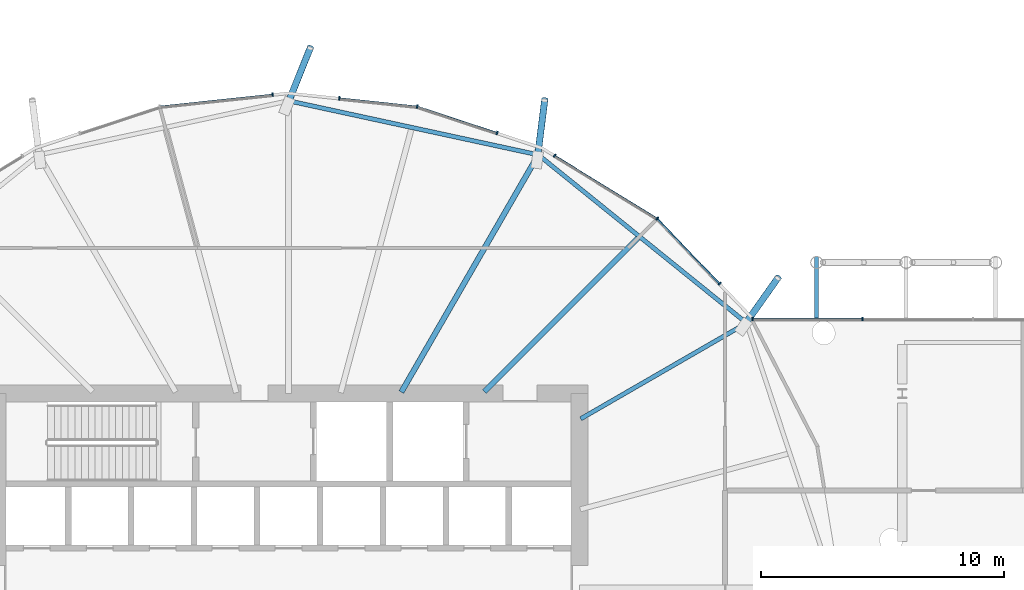
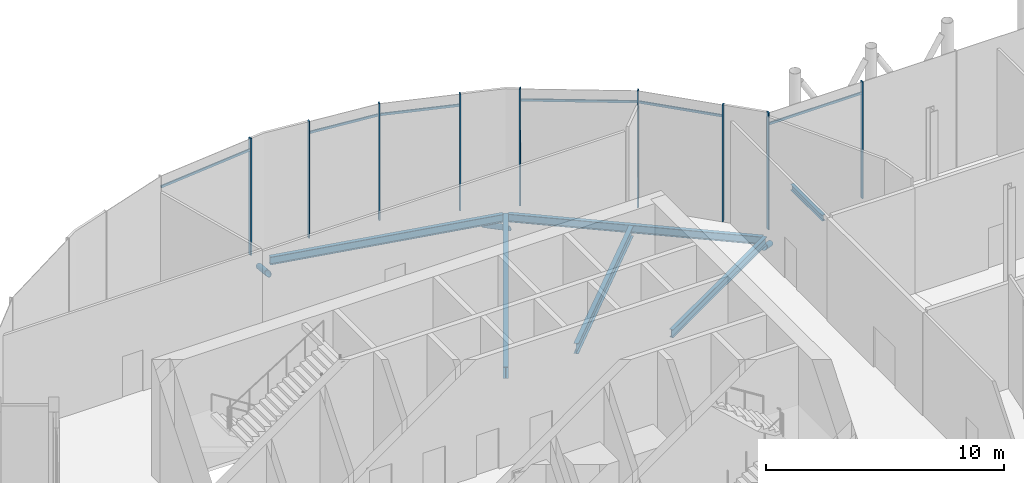
# One storey, part 8 of 38: 18 members, 6 beams, 2 elements without a shape of their own.
"""IFC4 building model written with IfcOpenShell, lengths in metres."""

import ifcopenshell
import ifcopenshell.guid

model = None  # the IFC model being written
_history = None  # IfcOwnerHistory: only IFC2X3 demands one
_inside = {}  # id of a spatial element -> (the spatial element, [elements in it])
_under = {}  # id of a project, library or spatial element -> (it, [spatial elements below it])
_declared = {}  # id of a project -> (the project, [libraries it declares])
_typed = {}  # id of a type object -> (the type object, [elements of that type])
_made_of = {}  # id of a material, layer set ... -> (it, [elements and type objects made of it])


def new_model(schema):
    """Start an empty IFC model of exactly this schema.

    Asked for "IFC4X3", IfcOpenShell would pick the latest addendum, in which some entities
    have other attributes; the version numbers below select the first issue.
    IFC2X3 requires an IfcOwnerHistory on every rooted entity: one is made here for all.
    """
    global model, _history
    if schema == "IFC4X3":
        model = ifcopenshell.file(schema_version=(4, 3, 0, 0))
    else:
        model = ifcopenshell.file(schema=schema)
    _inside.clear()
    _under.clear()
    _declared.clear()
    _typed.clear()
    _made_of.clear()
    _history = None
    if model.schema == "IFC2X3":
        org = make("IfcOrganization", Name="unknown")
        user = make(
            "IfcPersonAndOrganization",
            ThePerson=make("IfcPerson", FamilyName="unknown"),
            TheOrganization=org,
        )
        app = make(
            "IfcApplication",
            ApplicationDeveloper=org,
            Version="unknown",
            ApplicationFullName="unknown",
            ApplicationIdentifier="unknown",
        )
        _history = make(
            "IfcOwnerHistory",
            OwningUser=user,
            OwningApplication=app,
            ChangeAction="ADDED",
            CreationDate=0,
        )
    return model


def make(cls, **values):
    """One entity of the class cls with the attributes given. An attribute that is None is left unset."""
    return model.create_entity(
        cls, **{name: value for name, value in values.items() if value is not None}
    )


def rooted(cls, **values):
    """An entity with a GlobalId (a new one), such as an element, a storey or a relation."""
    return make(cls, GlobalId=ifcopenshell.guid.new(), OwnerHistory=_history, **values)


def si_unit(unit_type, name, prefix=None):
    """IfcSIUnit, for example si_unit("LENGTHUNIT", "METRE", prefix="MILLI")."""
    return make("IfcSIUnit", UnitType=unit_type, Prefix=prefix, Name=name)


def assignment(units):
    """IfcUnitAssignment: the units of a project."""
    return None if units is None else make("IfcUnitAssignment", Units=units)


def point(xyz):
    """IfcCartesianPoint."""
    return None if xyz is None else make("IfcCartesianPoint", Coordinates=xyz)


def direction(xyz):
    """IfcDirection."""
    return None if xyz is None else make("IfcDirection", DirectionRatios=xyz)


def frame(location, z_axis=None, x_axis=None):
    """IfcAxis2Placement3D, a coordinate frame: its origin and axes. An axis left out is left unset."""
    return make(
        "IfcAxis2Placement3D",
        Location=point(location),
        Axis=direction(z_axis),
        RefDirection=direction(x_axis),
    )


def frame_2d(location, x_axis=None):
    """IfcAxis2Placement2D, a coordinate frame in the plane: its origin and x axis."""
    return make(
        "IfcAxis2Placement2D", Location=point(location), RefDirection=direction(x_axis)
    )


def origin():
    """The frame at (0, 0, 0) with its axes left unset."""
    return frame((0.0, 0.0, 0.0))


def origin_2d():
    """The frame at (0, 0) in the plane with its x axis left unset."""
    return frame_2d((0.0, 0.0))


def place(relative_to, where):
    """IfcLocalPlacement: puts the frame where relative to a parent placement (None: the world)."""
    return make(
        "IfcLocalPlacement", PlacementRelTo=relative_to, RelativePlacement=where
    )


def context(
    kind, dimensions, precision=None, world=None, true_north=None, identifier=None
):
    """IfcGeometricRepresentationContext, for example the 3D "Model" context."""
    return make(
        "IfcGeometricRepresentationContext",
        ContextIdentifier=identifier,
        ContextType=kind,
        CoordinateSpaceDimension=dimensions,
        Precision=precision,
        WorldCoordinateSystem=world,
        TrueNorth=true_north,
    )


def subcontext(parent, identifier, kind, view, scale=None):
    """IfcGeometricRepresentationSubContext, for example "Body" below "Model"."""
    return make(
        "IfcGeometricRepresentationSubContext",
        ContextIdentifier=identifier,
        ContextType=kind,
        ParentContext=parent,
        TargetScale=scale,
        TargetView=view,
    )


def project(units=None, contexts=None):
    """IfcProject with its units and contexts."""
    return rooted(
        "IfcProject",
        Name="project",
        RepresentationContexts=contexts,
        UnitsInContext=assignment(units),
    )


def spatial(cls, under=None, at=None, **own):
    """A site, building, storey or space (cls), placed at a placement, below another one or the project."""
    s = rooted(cls, ObjectPlacement=at, **own)
    if under is not None:
        _under.setdefault(under.id(), (under, []))[1].append(s)
    return s


def profile(cls, at=None, kind="AREA", **sizes):
    """A parametric profile (cls). Its sizes go by their IFC names, for example OverallWidth=200.0."""
    return make(cls, ProfileType=kind, Position=at, **sizes)


def rectangle(**sizes):
    """IfcRectangleProfileDef."""
    return profile("IfcRectangleProfileDef", **sizes)


def hollow_circle(**sizes):
    """IfcCircleHollowProfileDef."""
    return profile("IfcCircleHollowProfileDef", **sizes)


def i_section(**sizes):
    """IfcIShapeProfileDef."""
    return profile("IfcIShapeProfileDef", **sizes)


def extrude(swept, where, along, depth):
    """IfcExtrudedAreaSolid: the profile swept, set in the frame where, extruded along a direction by depth."""
    return make(
        "IfcExtrudedAreaSolid",
        SweptArea=swept,
        Position=where,
        ExtrudedDirection=direction(along),
        Depth=depth,
    )


def clip(a, b, op="DIFFERENCE"):
    """IfcBooleanClippingResult: the solid a cut by the half space b."""
    return make(
        "IfcBooleanClippingResult", Operator=op, FirstOperand=a, SecondOperand=b
    )


def halfspace(plane, agree):
    """IfcHalfSpaceSolid: all space on one side of the plane z = 0 of the frame plane."""
    return make(
        "IfcHalfSpaceSolid",
        BaseSurface=make("IfcPlane", Position=plane),
        AgreementFlag=agree,
    )


def shape(context_of_items, identifier, shape_type, items):
    """IfcShapeRepresentation: the items that make up one representation, for example the "Body"."""
    return make(
        "IfcShapeRepresentation",
        ContextOfItems=context_of_items,
        RepresentationIdentifier=identifier,
        RepresentationType=shape_type,
        Items=items,
    )


def material(Name=None, Category=None):
    """IfcMaterial."""
    return make("IfcMaterial", Name=Name, Category=Category)


def material_profile(
    of_material, cross_section, Name=None, Category=None, Priority=None
):
    """IfcMaterialProfile: a cross section and its material."""
    return make(
        "IfcMaterialProfile",
        Name=Name,
        Material=of_material,
        Profile=cross_section,
        Priority=Priority,
        Category=Category,
    )


def profile_set(profiles, Name=None, composite=None):
    """IfcMaterialProfileSet."""
    return make(
        "IfcMaterialProfileSet",
        Name=Name,
        MaterialProfiles=profiles,
        CompositeProfile=composite,
    )


def made_of(thing, what):
    """Note that an element or type object is made of a material, layer set ...; save() writes the relation."""
    if what is not None:
        _made_of.setdefault(what.id(), (what, []))[1].append(thing)
    return thing


def type_object(cls, material=None, **own):
    """A type object (cls), such as IfcWallType, which elements share."""
    return made_of(rooted(cls, **own), material)


def element(
    cls,
    number,
    at=None,
    inside=None,
    cuts=None,
    type_object=None,
    material=None,
    context=None,
    identifier="Body",
    shape_type=None,
    held_by="IfcProductDefinitionShape",
    body=None,
    shapes=None,
    **own,
):
    """One element of the class cls, such as IfcWall. Its Tag is "e" and its number.

    at: its placement. inside: the storey or other place that contains it. cuts: it is an
    opening in that element (IfcRelVoidsElement). A single representation is given by context,
    identifier, shape_type and body (its items); several are given by shapes. held_by: the class
    of the entity that holds the representations. save() writes the other relations.
    """
    e = rooted(cls, Tag="e%d" % number, ObjectPlacement=at, **own)
    if body is not None:
        shapes = [shape(context, identifier, shape_type, body)]
    if shapes is not None:
        e.Representation = make(held_by, Representations=shapes)
    if inside is not None:
        _inside.setdefault(inside.id(), (inside, []))[1].append(e)
    if cuts is not None:
        rooted(
            "IfcRelVoidsElement", RelatingBuildingElement=cuts, RelatedOpeningElement=e
        )
    if type_object is not None:
        _typed.setdefault(type_object.id(), (type_object, []))[1].append(e)
    return made_of(e, material)


def aggregate(whole, parts):
    """IfcRelAggregates: a whole, such as a stair, and the parts it consists of."""
    return rooted("IfcRelAggregates", RelatingObject=whole, RelatedObjects=parts)


def save(model, path):
    """Write the relations noted so far, then the file.

    IfcRelAggregates (storeys below a building ...), IfcRelContainedInSpatialStructure (elements
    in a storey), IfcRelDefinesByType, IfcRelAssociatesMaterial and IfcRelDeclares: one each for
    every whole, place, type object, material and project.
    """
    for whole, parts in _under.values():
        aggregate(whole, parts)
    for where, things in _inside.values():
        rooted(
            "IfcRelContainedInSpatialStructure",
            RelatedElements=things,
            RelatingStructure=where,
        )
    for kind, things in _typed.values():
        rooted("IfcRelDefinesByType", RelatedObjects=things, RelatingType=kind)
    for what, things in _made_of.values():
        rooted("IfcRelAssociatesMaterial", RelatedObjects=things, RelatingMaterial=what)
    for by, libraries in _declared.values():
        rooted("IfcRelDeclares", RelatingContext=by, RelatedDefinitions=libraries)
    model.write(path)


model = new_model("IFC4")

# Units and contexts
model_context = context("Model", 3, precision=1e-05, world=origin(), true_north=direction((0.0, 1.0)))
body_context = subcontext(model_context, "Body", "Model", "MODEL_VIEW")
ifc_project = project(units=[si_unit("LENGTHUNIT", "METRE"), si_unit("AREAUNIT", "SQUARE_METRE"), si_unit("VOLUMEUNIT", "CUBIC_METRE"), si_unit("PLANEANGLEUNIT", "RADIAN"), si_unit("MASSUNIT", "GRAM", prefix="KILO")], contexts=[model_context])

# Site, building, storey
site_placement = place(None, origin())
site = spatial("IfcSite", under=ifc_project, at=site_placement, CompositionType="ELEMENT")
building_placement = place(site_placement, origin())
building = spatial("IfcBuilding", under=site, at=building_placement, Name="Rimbun Link Towers", CompositionType="ELEMENT")
storey_placement = place(building_placement, frame((0.0, 0.0, 133.199951171875)))
storey = spatial("IfcBuildingStorey", under=building, at=storey_placement, Name="L32", CompositionType="ELEMENT", Elevation=133.199951171875)

# Curtain wall, members
ifc_material_1 = material(Name="Aluminium 6063-T6 and low-iron glass", Category="aluminium")
curtain_wall_type = type_object("IfcCurtainWallType", Name="CW5 full height lobby wall", PredefinedType="NOTDEFINED", material=ifc_material_1)
curtain_wall_1_placement = place(storey_placement, origin())
curtain_wall_1 = element("IfcCurtainWall", 1, at=curtain_wall_1_placement, inside=storey, type_object=curtain_wall_type, Name="CW5 L32 T1", PredefinedType="NOTDEFINED")
ifc_material_2 = material(Name="Aluminium 6063-T6", Category="aluminium")
ifc_material_profile_1 = material_profile(ifc_material_2, rectangle(XDim=0.14990234375, YDim=0.06005859375, at=origin_2d()), Name="MULLION 60X150")
ifc_profile_set_1 = profile_set([ifc_material_profile_1], Name="Aluminium 6063-T6")
member_type_1 = type_object("IfcMemberType", Name="CW5 mullion 60X150", PredefinedType="MULLION", material=ifc_profile_set_1)
member_1_placement = place(storey_placement, frame((-16.548828125, 15.212646484375, 0.0), z_axis=(0.0, 0.0, 1.0), x_axis=(0.627670674715, 0.778478981157, 0.0)))
member_1 = element("IfcMember", 2, at=member_1_placement, type_object=member_type_1, Name="CW5 mullion", PredefinedType="MULLION", context=body_context, shape_type="SweptSolid", body=[
    extrude(rectangle(XDim=0.14990234375, YDim=0.06005859375, at=origin_2d()), origin(), (0.0, 0.0, 1.0), 6.0),
])
member_2_placement = place(storey_placement, frame((-13.97314453125, 12.52685546875, 0.0), z_axis=(0.0, 0.0, 1.0), x_axis=(0.721858090698, 0.692041109252, 0.0)))
member_2 = element("IfcMember", 3, at=member_2_placement, type_object=member_type_1, Name="CW5 mullion", PredefinedType="MULLION", context=body_context, shape_type="SweptSolid", body=[
    extrude(rectangle(XDim=0.14990234375, YDim=0.06005859375, at=origin_2d()), origin(), (0.0, 0.0, 1.0), 6.0),
])
member_3_placement = place(storey_placement, frame((-20.77392578125, 17.807373046875, 0.0), z_axis=(0.0, 0.0, 1.0), x_axis=(0.523225378089, 0.852194346217, 0.0)))
member_3 = element("IfcMember", 4, at=member_3_placement, type_object=member_type_1, Name="CW5 mullion", PredefinedType="MULLION", context=body_context, shape_type="SweptSolid", body=[
    extrude(rectangle(XDim=0.14990234375, YDim=0.06005859375, at=origin_2d()), origin(), (0.0, 0.0, 1.0), 6.0),
])
member_4_placement = place(storey_placement, frame((-26.440185546875, 19.831298828125, 0.0), z_axis=(0.0, 0.0, 1.0), x_axis=(0.210874693144, 0.977513101596, 0.0)))
member_4 = element("IfcMember", 5, at=member_4_placement, type_object=member_type_1, Name="CW5 mullion", PredefinedType="MULLION", context=body_context, shape_type="SweptSolid", body=[
    extrude(rectangle(XDim=0.14990234375, YDim=0.06005859375, at=origin_2d()), origin(), (0.0, 0.0, 1.0), 6.0),
])
member_5_placement = place(storey_placement, frame((-23.15185546875, 18.7421875, 0.0), z_axis=(0.0, 0.0, 1.0), x_axis=(0.314567961741, 0.949234953763, 0.0)))
member_5 = element("IfcMember", 6, at=member_5_placement, type_object=member_type_1, Name="CW5 mullion", PredefinedType="MULLION", context=body_context, shape_type="SweptSolid", body=[
    extrude(rectangle(XDim=0.14990234375, YDim=0.06005859375, at=origin_2d()), origin(), (0.0, 0.0, 1.0), 6.0),
])
member_6_placement = place(storey_placement, frame((-29.65380859375, 20.170166015625, 0.0), z_axis=(0.0, 0.0, 1.0), x_axis=(0.104745411125, 0.994499069305, 0.0)))
member_6 = element("IfcMember", 7, at=member_6_placement, type_object=member_type_1, Name="CW5 mullion", PredefinedType="MULLION", context=body_context, shape_type="SweptSolid", body=[
    extrude(rectangle(XDim=0.14990234375, YDim=0.06005859375, at=origin_2d()), origin(), (0.0, 0.0, 1.0), 6.0),
])
member_7_placement = place(storey_placement, frame((-32.404296875, 20.322021484375, 0.0), z_axis=(0.0, 0.0, 1.0), x_axis=(-0.104745411125, 0.994499069305, 0.0)))
member_7 = element("IfcMember", 8, at=member_7_placement, type_object=member_type_1, Name="CW5 mullion", PredefinedType="MULLION", context=body_context, shape_type="SweptSolid", body=[
    extrude(rectangle(XDim=0.14990234375, YDim=0.06005859375, at=origin_2d()), origin(), (0.0, 0.0, 1.0), 6.0),
])

curtain_wall_2_placement = place(storey_placement, origin())
curtain_wall_2 = element("IfcCurtainWall", 9, at=curtain_wall_2_placement, inside=storey, type_object=curtain_wall_type, Name="CW5 L32 LB", PredefinedType="NOTDEFINED")
member_8_placement = place(storey_placement, frame((-12.626953125, 11.074951171875, 0.0), z_axis=(0.0, 0.0, 1.0), x_axis=(0.0, 1.0, 0.0)))
member_8 = element("IfcMember", 10, at=member_8_placement, type_object=member_type_1, Name="CW5 mullion", PredefinedType="MULLION", context=body_context, shape_type="SweptSolid", body=[
    extrude(rectangle(XDim=0.14990234375, YDim=0.06005859375, at=origin_2d()), origin(), (0.0, 0.0, 1.0), 6.0),
])
member_9_placement = place(storey_placement, frame((-8.0791015625, 11.074951171875, 0.0), z_axis=(0.0, 0.0, 1.0), x_axis=(0.0, 1.0, 0.0)))
member_9 = element("IfcMember", 11, at=member_9_placement, type_object=member_type_1, Name="CW5 mullion", PredefinedType="MULLION", context=body_context, shape_type="SweptSolid", body=[
    extrude(rectangle(XDim=0.14990234375, YDim=0.06005859375, at=origin_2d()), origin(), (0.0, 0.0, 1.0), 6.0),
])

# Member
ifc_material_3 = material(Name="Aluminium 6063-T6", Category="aluminium")
ifc_material_profile_2 = material_profile(ifc_material_3, rectangle(XDim=0.06005859375, YDim=0.1201171875, at=origin_2d()), Name="TRANSOM 60X120")
ifc_profile_set_2 = profile_set([ifc_material_profile_2], Name="Aluminium 6063-T6")
member_type_2 = type_object("IfcMemberType", Name="CW5 transom 60X120", PredefinedType="USERDEFINED", material=ifc_profile_set_2)
member_10_placement = place(storey_placement, frame((-16.5302734375, 15.175537109375, 5.400146484375), z_axis=(0.692040396922, -0.721858773603, 0.0), x_axis=(0.721858773603, 0.692040396922, 0.0)))
member_10 = element("IfcMember", 12, at=member_10_placement, type_object=member_type_2, Name="CW5 transom", ObjectType="TRANSOM", PredefinedType="USERDEFINED", context=body_context, shape_type="SweptSolid", body=[
    extrude(rectangle(XDim=0.06005859375, YDim=0.1201171875, at=origin_2d()), origin(), (0.0, 0.0, 1.0), 3.651611328125),
])

member_11_placement = place(storey_placement, frame((-20.755126953125, 17.78076171875, 5.400146484375), z_axis=(0.852182554645, -0.523244582923, 0.0), x_axis=(0.523244582923, 0.852182554645, 0.0)))
member_11 = element("IfcMember", 13, at=member_11_placement, type_object=member_type_2, Name="CW5 transom", ObjectType="TRANSOM", PredefinedType="USERDEFINED", context=body_context, shape_type="SweptSolid", body=[
    extrude(rectangle(XDim=0.06005859375, YDim=0.1201171875, at=origin_2d()), origin(), (0.0, 0.0, 1.0), 4.888916015625),
])

member_12_placement = place(storey_placement, frame((-26.407958984375, 19.807373046875, 5.400146484375), z_axis=(0.949242594948, -0.314544902893, 0.0), x_axis=(0.314544902893, 0.949242594948, 0.0)))
member_12 = element("IfcMember", 14, at=member_12_placement, type_object=member_type_2, Name="CW5 transom", ObjectType="TRANSOM", PredefinedType="USERDEFINED", context=body_context, shape_type="SweptSolid", body=[
    extrude(rectangle(XDim=0.06005859375, YDim=0.1201171875, at=origin_2d()), origin(), (0.0, 0.0, 1.0), 3.395751953125),
])

member_13_placement = place(storey_placement, frame((-29.625244140625, 20.154052734375, 5.400146484375), z_axis=(0.994500800185, -0.104728976086, 0.0), x_axis=(0.104728976086, 0.994500800185, 0.0)))
member_13 = element("IfcMember", 15, at=member_13_placement, type_object=member_type_2, Name="CW5 transom", ObjectType="TRANSOM", PredefinedType="USERDEFINED", context=body_context, shape_type="SweptSolid", body=[
    extrude(rectangle(XDim=0.06005859375, YDim=0.1201171875, at=origin_2d()), origin(), (0.0, 0.0, 1.0), 3.163330078125),
])

member_14_placement = place(storey_placement, frame((-37.020751953125, 19.82275390625, 5.400146484375), z_axis=(0.994495008728, 0.104783956858, 0.0), x_axis=(-0.104783956858, 0.994495008728, 0.0)))
member_14 = element("IfcMember", 16, at=member_14_placement, type_object=member_type_2, Name="CW5 transom", ObjectType="TRANSOM", PredefinedType="USERDEFINED", context=body_context, shape_type="SweptSolid", body=[
    extrude(rectangle(XDim=0.06005859375, YDim=0.1201171875, at=origin_2d()), origin(), (0.0, 0.0, 1.0), 4.61328125),
])

aggregate(curtain_wall_1, [member_1, member_2, member_3, member_4, member_5, member_6, member_7, member_10, member_11, member_12, member_13, member_14])

member_15_placement = place(storey_placement, frame((-12.596923828125, 11.06201171875, 5.400146484375), z_axis=(1.0, 0.0, 0.0), x_axis=(0.0, 1.0, 0.0)))
member_15 = element("IfcMember", 17, at=member_15_placement, type_object=member_type_2, Name="CW5 transom", ObjectType="TRANSOM", PredefinedType="USERDEFINED", context=body_context, shape_type="SweptSolid", body=[
    extrude(rectangle(XDim=0.06005859375, YDim=0.1201171875, at=origin_2d()), origin(), (0.0, 0.0, 1.0), 4.48779296875),
])

aggregate(curtain_wall_2, [member_8, member_9, member_15])

# Beam
ifc_material_4 = material(Name="Steel S355J2", Category="steel")
ifc_material_profile_3 = material_profile(ifc_material_4, i_section(OverallWidth=0.1650390625, OverallDepth=0.303466796875, WebThickness=0.006103515625, FlangeThickness=0.01025390625, at=origin_2d()), Name="UB 305x165x40")
ifc_profile_set_3 = profile_set([ifc_material_profile_3], Name="Steel S355J2")
beam_type_1 = type_object("IfcBeamType", Name="Capsule bracket beam UB 305x165x40", PredefinedType="BEAM", material=ifc_profile_set_3)
beam_1_placement = place(storey_placement, frame((-9.97802734375, 11.0, -0.311767578125), z_axis=(0.0, 1.0, 0.0), x_axis=(-1.0, 0.0, 0.0)))
element("IfcBeam", 18, at=beam_1_placement, inside=storey, type_object=beam_type_1, Name="Link megaframe outrigger N0", PredefinedType="BEAM", context=body_context, shape_type="SweptSolid", body=[
    extrude(i_section(OverallWidth=0.1650390625, OverallDepth=0.303466796875, WebThickness=0.006103515625, FlangeThickness=0.01025390625, at=origin_2d()), origin(), (0.0, 0.0, 1.0), 2.654052734375),
])

# Members
ifc_material_5 = material(Name="Steel S355J2H", Category="steel")
ifc_material_profile_4 = material_profile(ifc_material_5, hollow_circle(Radius=0.136474609375, WallThickness=0.012451171875, at=origin_2d()), Name="CHS 273x12.5")
ifc_profile_set_4 = profile_set([ifc_material_profile_4], Name="Steel S355J2H")
member_type_3 = type_object("IfcMemberType", Name="Floor edge link CHS 273x12.5", PredefinedType="BRACE", material=ifc_profile_set_4)
member_16_placement = place(storey_placement, frame((-12.909423828125, 10.877685546875, -0.7021484375), z_axis=(0.490937524555, 0.693295918192, -0.527561481537), x_axis=(-0.816106138335, 0.577902042713, 0.0)))
element("IfcMember", 19, at=member_16_placement, inside=storey, type_object=member_type_3, Name="Floor edge link T1 L32 02", PredefinedType="BRACE", context=body_context, shape_type="Clipping", body=[
    clip(extrude(hollow_circle(Radius=0.136474609375, WallThickness=0.012451171875, at=origin_2d()), frame((0.0, 0.0, -0.45849609375)), (0.0, 0.0, 1.0), 3.22509765625), halfspace(frame((0.0, 0.0, -0.2158203125), z_axis=(0.0, 0.849516852804, -0.527561481537)), False)),
])
member_17_placement = place(storey_placement, frame((-21.47705078125, 17.793212890625, -0.900146484375), z_axis=(0.107708067063, 0.857638902766, -0.502846382857), x_axis=(-0.992206060806, 0.12460791668, 0.0)))
element("IfcMember", 20, at=member_17_placement, inside=storey, type_object=member_type_3, Name="Floor edge link T1 L32 04", PredefinedType="BRACE", context=body_context, shape_type="Clipping", body=[
    clip(extrude(hollow_circle(Radius=0.136474609375, WallThickness=0.012451171875, at=origin_2d()), frame((0.0, 0.0, -0.4892578125)), (0.0, 0.0, 1.0), 3.21826171875), halfspace(frame((0.0, 0.0, -0.22998046875), z_axis=(0.0, 0.864375795154, -0.502846382857)), False)),
])
member_18_placement = place(storey_placement, frame((-31.75, 20.01416015625, -0.98291015625), z_axis=(0.326716163123, 0.812891542358, -0.482145091355), x_axis=(-0.927861588857, 0.372924753702, 0.0)))
element("IfcMember", 21, at=member_18_placement, inside=storey, type_object=member_type_3, Name="Floor edge link T1 L32 06", PredefinedType="BRACE", context=body_context, shape_type="Clipping", body=[
    clip(extrude(hollow_circle(Radius=0.136474609375, WallThickness=0.012451171875, at=origin_2d()), frame((0.0, 0.0, -0.516845703125)), (0.0, 0.0, 1.0), 3.30322265625), halfspace(frame((0.0, 0.0, -0.24365234375), z_axis=(0.0, 0.876091382723, -0.482145091355)), False)),
])

# Beams
ifc_material_6 = material(Name="Steel S355J2", Category="steel")
ifc_material_profile_5 = material_profile(ifc_material_6, i_section(OverallWidth=0.177978515625, OverallDepth=0.406494140625, WebThickness=0.0078125, FlangeThickness=0.0126953125, at=origin_2d()), Name="UB 406x178x60")
ifc_profile_set_5 = profile_set([ifc_material_profile_5], Name="Steel S355J2")
beam_type_2 = type_object("IfcBeamType", Name="UB 406x178x60", PredefinedType="BEAM", material=ifc_profile_set_5)
beam_2_placement = place(storey_placement, frame((-19.70458984375, 6.954345703125, -0.383056640625), z_axis=(0.866019794698, 0.500009715097, 0.0), x_axis=(-0.500009715097, 0.866019794698, 0.0)))
element("IfcBeam", 22, at=beam_2_placement, inside=storey, type_object=beam_type_2, Name="Radial beam T1 L32 02", PredefinedType="BEAM", context=body_context, shape_type="SweptSolid", body=[
    extrude(i_section(OverallWidth=0.177978515625, OverallDepth=0.406494140625, WebThickness=0.0078125, FlangeThickness=0.0126953125, at=origin_2d()), origin(), (0.0, 0.0, 1.0), 7.896240234375),
])
beam_3_placement = place(storey_placement, frame((-12.941162109375, 10.963134765625, -0.383056640625), z_axis=(-0.77798655313, 0.628280926934, 0.0), x_axis=(-0.628280926934, -0.77798655313, 0.0)))
element("IfcBeam", 23, at=beam_3_placement, inside=storey, type_object=beam_type_2, Name="Edge beam T1 L32 02-04", PredefinedType="BEAM", context=body_context, shape_type="SweptSolid", body=[
    extrude(i_section(OverallWidth=0.177978515625, OverallDepth=0.406494140625, WebThickness=0.0078125, FlangeThickness=0.0126953125, at=origin_2d()), origin(), (0.0, 0.0, 1.0), 10.82373046875),
])
beam_4_placement = place(storey_placement, frame((-21.56982421875, 17.86181640625, -0.383056640625), z_axis=(-0.977388184386, 0.211452919162, 0.0), x_axis=(-0.211452919162, -0.977388184386, 0.0)))
element("IfcBeam", 24, at=beam_4_placement, inside=storey, type_object=beam_type_2, Name="Edge beam T1 L32 04-06", PredefinedType="BEAM", context=body_context, shape_type="SweptSolid", body=[
    extrude(i_section(OverallWidth=0.177978515625, OverallDepth=0.406494140625, WebThickness=0.0078125, FlangeThickness=0.0126953125, at=origin_2d()), origin(), (0.0, 0.0, 1.0), 10.28515625),
])
ifc_material_7 = material(Name="Steel S355J2", Category="steel")
ifc_material_profile_6 = material_profile(ifc_material_7, i_section(OverallWidth=0.209228515625, OverallDepth=0.533203125, WebThickness=0.010009765625, FlangeThickness=0.015625, at=origin_2d()), Name="UB 533x210x92")
ifc_profile_set_6 = profile_set([ifc_material_profile_6], Name="Steel S355J2")
beam_type_3 = type_object("IfcBeamType", Name="UB 533x210x92", PredefinedType="BEAM", material=ifc_profile_set_6)
beam_5_placement = place(storey_placement, frame((-23.67529296875, 8.07470703125, -0.446533203125), z_axis=(0.707106781187, 0.707106781187, 0.0), x_axis=(-0.707106781187, 0.707106781187, 0.0)))
element("IfcBeam", 25, at=beam_5_placement, inside=storey, type_object=beam_type_3, Name="Radial beam T1 L32 03", PredefinedType="BEAM", context=body_context, shape_type="SweptSolid", body=[
    extrude(i_section(OverallWidth=0.209228515625, OverallDepth=0.533203125, WebThickness=0.010009765625, FlangeThickness=0.015625, at=origin_2d()), origin(), (0.0, 0.0, 1.0), 8.951416015625),
])
ifc_material_8 = material(Name="Steel S355J2", Category="steel")
ifc_material_profile_7 = material_profile(ifc_material_8, i_section(OverallWidth=0.2275390625, OverallDepth=0.6025390625, WebThickness=0.010498046875, FlangeThickness=0.014892578125, at=origin_2d()), Name="UB 610x229x101")
ifc_profile_set_7 = profile_set([ifc_material_profile_7], Name="Steel S355J2")
beam_type_4 = type_object("IfcBeamType", Name="UB 610x229x101", PredefinedType="BEAM", material=ifc_profile_set_7)
beam_6_placement = place(storey_placement, frame((-27.097900390625, 8.057861328125, -0.481201171875), z_axis=(0.500006319009, 0.866021755472, 0.0), x_axis=(-0.866021755472, 0.500006319009, 0.0)))
element("IfcBeam", 26, at=beam_6_placement, inside=storey, type_object=beam_type_4, Name="Radial beam T1 L32 04", PredefinedType="BEAM", context=body_context, shape_type="SweptSolid", body=[
    extrude(i_section(OverallWidth=0.2275390625, OverallDepth=0.6025390625, WebThickness=0.010498046875, FlangeThickness=0.014892578125, at=origin_2d()), origin(), (0.0, 0.0, 1.0), 11.291259765625),
])

save(model, "model.ifc")
